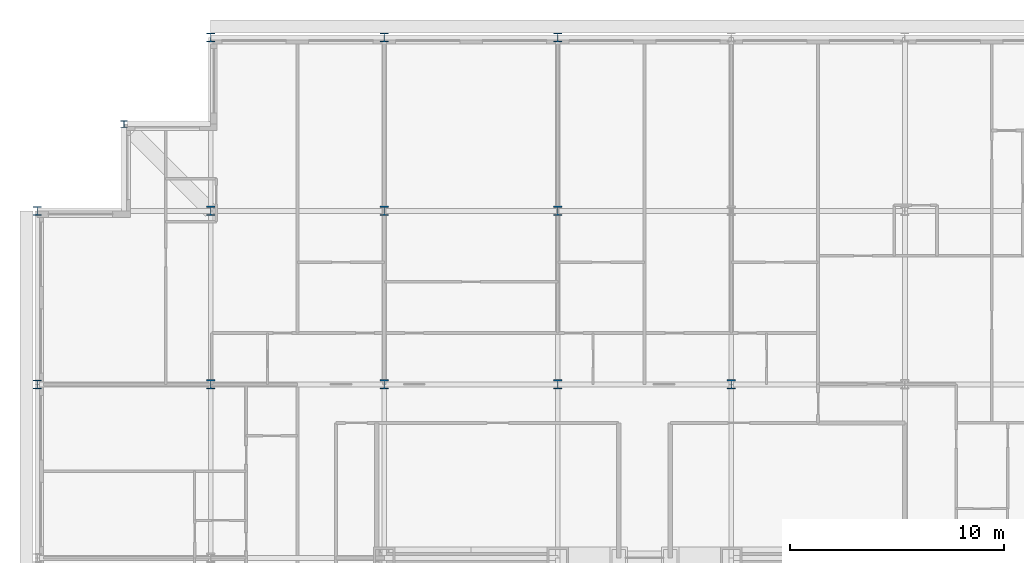
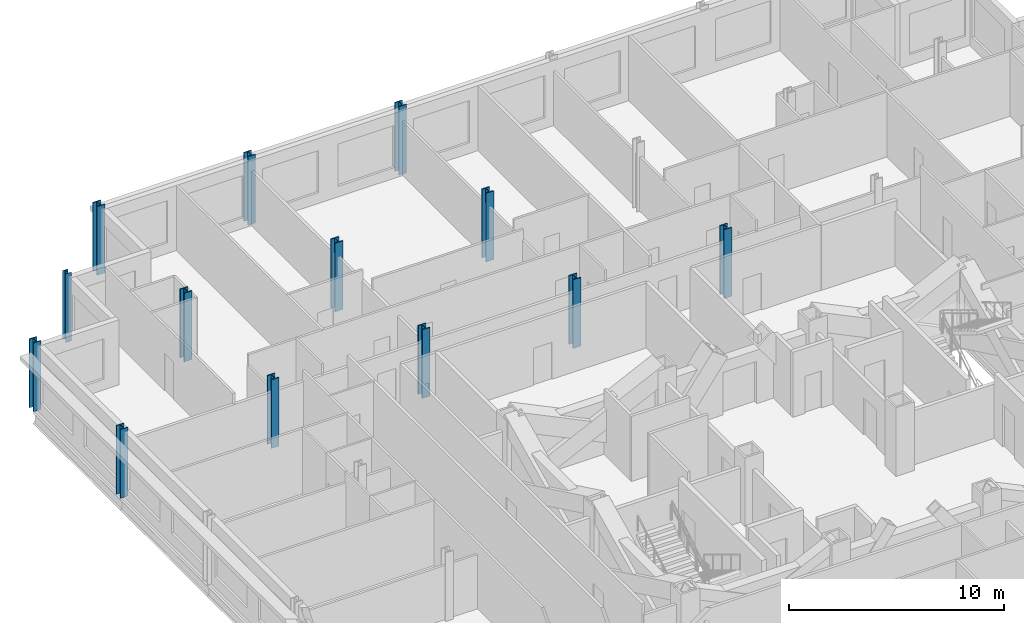
# One storey, part 3 of 15: 13 columns.
"""IFC4 building model written with IfcOpenShell, lengths in metres."""

import ifcopenshell
import ifcopenshell.guid

model = None  # the IFC model being written
_history = None  # IfcOwnerHistory: only IFC2X3 demands one
_inside = {}  # id of a spatial element -> (the spatial element, [elements in it])
_under = {}  # id of a project, library or spatial element -> (it, [spatial elements below it])
_declared = {}  # id of a project -> (the project, [libraries it declares])
_typed = {}  # id of a type object -> (the type object, [elements of that type])
_made_of = {}  # id of a material, layer set ... -> (it, [elements and type objects made of it])


def new_model(schema):
    """Start an empty IFC model of exactly this schema.

    Asked for "IFC4X3", IfcOpenShell would pick the latest addendum, in which some entities
    have other attributes; the version numbers below select the first issue.
    IFC2X3 requires an IfcOwnerHistory on every rooted entity: one is made here for all.
    """
    global model, _history
    if schema == "IFC4X3":
        model = ifcopenshell.file(schema_version=(4, 3, 0, 0))
    else:
        model = ifcopenshell.file(schema=schema)
    _inside.clear()
    _under.clear()
    _declared.clear()
    _typed.clear()
    _made_of.clear()
    _history = None
    if model.schema == "IFC2X3":
        org = make("IfcOrganization", Name="unknown")
        user = make(
            "IfcPersonAndOrganization",
            ThePerson=make("IfcPerson", FamilyName="unknown"),
            TheOrganization=org,
        )
        app = make(
            "IfcApplication",
            ApplicationDeveloper=org,
            Version="unknown",
            ApplicationFullName="unknown",
            ApplicationIdentifier="unknown",
        )
        _history = make(
            "IfcOwnerHistory",
            OwningUser=user,
            OwningApplication=app,
            ChangeAction="ADDED",
            CreationDate=0,
        )
    return model


def make(cls, **values):
    """One entity of the class cls with the attributes given. An attribute that is None is left unset."""
    return model.create_entity(
        cls, **{name: value for name, value in values.items() if value is not None}
    )


def rooted(cls, **values):
    """An entity with a GlobalId (a new one), such as an element, a storey or a relation."""
    return make(cls, GlobalId=ifcopenshell.guid.new(), OwnerHistory=_history, **values)


def si_unit(unit_type, name, prefix=None):
    """IfcSIUnit, for example si_unit("LENGTHUNIT", "METRE", prefix="MILLI")."""
    return make("IfcSIUnit", UnitType=unit_type, Prefix=prefix, Name=name)


def assignment(units):
    """IfcUnitAssignment: the units of a project."""
    return None if units is None else make("IfcUnitAssignment", Units=units)


def point(xyz):
    """IfcCartesianPoint."""
    return None if xyz is None else make("IfcCartesianPoint", Coordinates=xyz)


def direction(xyz):
    """IfcDirection."""
    return None if xyz is None else make("IfcDirection", DirectionRatios=xyz)


def frame(location, z_axis=None, x_axis=None):
    """IfcAxis2Placement3D, a coordinate frame: its origin and axes. An axis left out is left unset."""
    return make(
        "IfcAxis2Placement3D",
        Location=point(location),
        Axis=direction(z_axis),
        RefDirection=direction(x_axis),
    )


def frame_2d(location, x_axis=None):
    """IfcAxis2Placement2D, a coordinate frame in the plane: its origin and x axis."""
    return make(
        "IfcAxis2Placement2D", Location=point(location), RefDirection=direction(x_axis)
    )


def origin():
    """The frame at (0, 0, 0) with its axes left unset."""
    return frame((0.0, 0.0, 0.0))


def origin_2d():
    """The frame at (0, 0) in the plane with its x axis left unset."""
    return frame_2d((0.0, 0.0))


def place(relative_to, where):
    """IfcLocalPlacement: puts the frame where relative to a parent placement (None: the world)."""
    return make(
        "IfcLocalPlacement", PlacementRelTo=relative_to, RelativePlacement=where
    )


def context(
    kind, dimensions, precision=None, world=None, true_north=None, identifier=None
):
    """IfcGeometricRepresentationContext, for example the 3D "Model" context."""
    return make(
        "IfcGeometricRepresentationContext",
        ContextIdentifier=identifier,
        ContextType=kind,
        CoordinateSpaceDimension=dimensions,
        Precision=precision,
        WorldCoordinateSystem=world,
        TrueNorth=true_north,
    )


def subcontext(parent, identifier, kind, view, scale=None):
    """IfcGeometricRepresentationSubContext, for example "Body" below "Model"."""
    return make(
        "IfcGeometricRepresentationSubContext",
        ContextIdentifier=identifier,
        ContextType=kind,
        ParentContext=parent,
        TargetScale=scale,
        TargetView=view,
    )


def project(units=None, contexts=None):
    """IfcProject with its units and contexts."""
    return rooted(
        "IfcProject",
        Name="project",
        RepresentationContexts=contexts,
        UnitsInContext=assignment(units),
    )


def spatial(cls, under=None, at=None, **own):
    """A site, building, storey or space (cls), placed at a placement, below another one or the project."""
    s = rooted(cls, ObjectPlacement=at, **own)
    if under is not None:
        _under.setdefault(under.id(), (under, []))[1].append(s)
    return s


def profile(cls, at=None, kind="AREA", **sizes):
    """A parametric profile (cls). Its sizes go by their IFC names, for example OverallWidth=200.0."""
    return make(cls, ProfileType=kind, Position=at, **sizes)


def i_section(**sizes):
    """IfcIShapeProfileDef."""
    return profile("IfcIShapeProfileDef", **sizes)


def extrude(swept, where, along, depth):
    """IfcExtrudedAreaSolid: the profile swept, set in the frame where, extruded along a direction by depth."""
    return make(
        "IfcExtrudedAreaSolid",
        SweptArea=swept,
        Position=where,
        ExtrudedDirection=direction(along),
        Depth=depth,
    )


def shape(context_of_items, identifier, shape_type, items):
    """IfcShapeRepresentation: the items that make up one representation, for example the "Body"."""
    return make(
        "IfcShapeRepresentation",
        ContextOfItems=context_of_items,
        RepresentationIdentifier=identifier,
        RepresentationType=shape_type,
        Items=items,
    )


def material(Name=None, Category=None):
    """IfcMaterial."""
    return make("IfcMaterial", Name=Name, Category=Category)


def material_profile(
    of_material, cross_section, Name=None, Category=None, Priority=None
):
    """IfcMaterialProfile: a cross section and its material."""
    return make(
        "IfcMaterialProfile",
        Name=Name,
        Material=of_material,
        Profile=cross_section,
        Priority=Priority,
        Category=Category,
    )


def profile_set(profiles, Name=None, composite=None):
    """IfcMaterialProfileSet."""
    return make(
        "IfcMaterialProfileSet",
        Name=Name,
        MaterialProfiles=profiles,
        CompositeProfile=composite,
    )


def made_of(thing, what):
    """Note that an element or type object is made of a material, layer set ...; save() writes the relation."""
    if what is not None:
        _made_of.setdefault(what.id(), (what, []))[1].append(thing)
    return thing


def type_object(cls, material=None, **own):
    """A type object (cls), such as IfcWallType, which elements share."""
    return made_of(rooted(cls, **own), material)


def element(
    cls,
    number,
    at=None,
    inside=None,
    cuts=None,
    type_object=None,
    material=None,
    context=None,
    identifier="Body",
    shape_type=None,
    held_by="IfcProductDefinitionShape",
    body=None,
    shapes=None,
    **own,
):
    """One element of the class cls, such as IfcWall. Its Tag is "e" and its number.

    at: its placement. inside: the storey or other place that contains it. cuts: it is an
    opening in that element (IfcRelVoidsElement). A single representation is given by context,
    identifier, shape_type and body (its items); several are given by shapes. held_by: the class
    of the entity that holds the representations. save() writes the other relations.
    """
    e = rooted(cls, Tag="e%d" % number, ObjectPlacement=at, **own)
    if body is not None:
        shapes = [shape(context, identifier, shape_type, body)]
    if shapes is not None:
        e.Representation = make(held_by, Representations=shapes)
    if inside is not None:
        _inside.setdefault(inside.id(), (inside, []))[1].append(e)
    if cuts is not None:
        rooted(
            "IfcRelVoidsElement", RelatingBuildingElement=cuts, RelatedOpeningElement=e
        )
    if type_object is not None:
        _typed.setdefault(type_object.id(), (type_object, []))[1].append(e)
    return made_of(e, material)


def aggregate(whole, parts):
    """IfcRelAggregates: a whole, such as a stair, and the parts it consists of."""
    return rooted("IfcRelAggregates", RelatingObject=whole, RelatedObjects=parts)


def save(model, path):
    """Write the relations noted so far, then the file.

    IfcRelAggregates (storeys below a building ...), IfcRelContainedInSpatialStructure (elements
    in a storey), IfcRelDefinesByType, IfcRelAssociatesMaterial and IfcRelDeclares: one each for
    every whole, place, type object, material and project.
    """
    for whole, parts in _under.values():
        aggregate(whole, parts)
    for where, things in _inside.values():
        rooted(
            "IfcRelContainedInSpatialStructure",
            RelatedElements=things,
            RelatingStructure=where,
        )
    for kind, things in _typed.values():
        rooted("IfcRelDefinesByType", RelatedObjects=things, RelatingType=kind)
    for what, things in _made_of.values():
        rooted("IfcRelAssociatesMaterial", RelatedObjects=things, RelatingMaterial=what)
    for by, libraries in _declared.values():
        rooted("IfcRelDeclares", RelatingContext=by, RelatedDefinitions=libraries)
    model.write(path)


model = new_model("IFC4")

# Units and contexts
model_context = context("Model", 3, precision=1e-05, world=origin(), true_north=direction((0.0, 1.0)))
body_context = subcontext(model_context, "Body", "Model", "MODEL_VIEW")
ifc_project = project(units=[si_unit("LENGTHUNIT", "METRE"), si_unit("AREAUNIT", "SQUARE_METRE"), si_unit("VOLUMEUNIT", "CUBIC_METRE"), si_unit("PLANEANGLEUNIT", "RADIAN"), si_unit("MASSUNIT", "GRAM", prefix="KILO")], contexts=[model_context])

# Site, building, storey
site_placement = place(None, origin())
site = spatial("IfcSite", under=ifc_project, at=site_placement, CompositionType="ELEMENT")
building_placement = place(site_placement, origin())
building = spatial("IfcBuilding", under=site, at=building_placement, Name="Kopane Lantern Tower", CompositionType="ELEMENT")
storey_placement = place(building_placement, frame((0.0, 0.0, 285.300048828125)))
storey = spatial("IfcBuildingStorey", under=building, at=storey_placement, Name="L73", CompositionType="ELEMENT", Elevation=285.300048828125)

# Columns
ifc_material_1 = material(Name="Steel S355JR", Category="steel")
ifc_material_profile_1 = material_profile(ifc_material_1, i_section(OverallWidth=0.307373046875, OverallDepth=0.314453125, WebThickness=0.011962890625, FlangeThickness=0.018798828125, FilletRadius=0.01513671875, at=origin_2d()), Name="UC 305x305x118")
ifc_profile_set_1 = profile_set([ifc_material_profile_1], Name="Steel S355JR")
column_type_1 = type_object("IfcColumnType", Name="COLUMN UC 305x305x118", PredefinedType="COLUMN", material=ifc_profile_set_1)
column_placement = place(storey_placement, frame((4.050048828125, 60.75, 0.0), z_axis=(0.0, 0.0, 1.0), x_axis=(1.0, 0.0, 0.0)))
element("IfcColumn", 1, at=column_placement, inside=storey, type_object=column_type_1, Name="Column 4.05/60.75 L73", PredefinedType="COLUMN", context=body_context, shape_type="SweptSolid", body=[
    extrude(i_section(OverallWidth=0.307373046875, OverallDepth=0.314453125, WebThickness=0.011962890625, FlangeThickness=0.018798828125, FilletRadius=0.01513671875, at=origin_2d()), origin(), (0.0, 0.0, 1.0), 3.89990234375),
])
ifc_material_2 = material(Name="Steel S355JR", Category="steel")
ifc_material_profile_2 = material_profile(ifc_material_2, i_section(OverallWidth=0.406982421875, OverallDepth=0.4189453125, WebThickness=0.030517578125, FlangeThickness=0.04931640625, FilletRadius=0.01513671875, at=origin_2d()), Name="UC 356x406x393")
ifc_profile_set_2 = profile_set([ifc_material_profile_2], Name="Steel S355JR")
column_type_2 = type_object("IfcColumnType", Name="COLUMN UC 356x406x393", PredefinedType="COLUMN", material=ifc_profile_set_2)
for number, where, z_axis, x_axis, name in (
    (2, (0.0, 48.60009765625, 0.0), (0.0, 0.0, 1.0), (1.0, 0.0, 0.0), "Column 2/H L73"),
    (3, (0.0, 56.699951171875, 0.0), (0.0, 0.0, 1.0), (1.0, 0.0, 0.0), "Column 2/J L73"),
    (4, (8.10009765625, 64.800048828125, 0.0), (0.0, 0.0, 1.0), (1.0, 0.0, 0.0), "Column 3/K L73"),
    (5, (16.199951171875, 64.800048828125, 0.0), (0.0, 0.0, 1.0), (1.0, 0.0, 0.0), "Column 4/K L73"),
    (6, (24.300048828125, 64.800048828125, 0.0), (0.0, 0.0, 1.0), (1.0, 0.0, 0.0), "Column 5/K L73"),
):
    element("IfcColumn", number, at=place(storey_placement, frame(where, z_axis=z_axis, x_axis=x_axis)), inside=storey, type_object=column_type_2, Name=name, PredefinedType="COLUMN", context=body_context, shape_type="SweptSolid", body=[
        extrude(i_section(OverallWidth=0.406982421875, OverallDepth=0.4189453125, WebThickness=0.030517578125, FlangeThickness=0.04931640625, FilletRadius=0.01513671875, at=origin_2d()), origin(), (0.0, 0.0, 1.0), 3.89990234375),
    ])
ifc_material_3 = material(Name="Steel S355JR", Category="steel")
ifc_material_profile_3 = material_profile(ifc_material_3, i_section(OverallWidth=0.412109375, OverallDepth=0.4365234375, WebThickness=0.035888671875, FlangeThickness=0.05810546875, FilletRadius=0.01513671875, at=origin_2d()), Name="UC 356x406x467")
ifc_profile_set_3 = profile_set([ifc_material_profile_3], Name="Steel S355JR")
column_type_3 = type_object("IfcColumnType", Name="COLUMN UC 356x406x467", PredefinedType="COLUMN", material=ifc_profile_set_3)
for number, where, z_axis, x_axis, name in (
    (7, (8.10009765625, 48.60009765625, 0.0), (0.0, 0.0, 1.0), (1.0, 0.0, 0.0), "Column 3/H L73"),
    (8, (8.10009765625, 56.699951171875, 0.0), (0.0, 0.0, 1.0), (1.0, 0.0, 0.0), "Column 3/J L73"),
    (9, (16.199951171875, 48.60009765625, 0.0), (0.0, 0.0, 1.0), (1.0, 0.0, 0.0), "Column 4/H L73"),
    (10, (16.199951171875, 56.699951171875, 0.0), (0.0, 0.0, 1.0), (1.0, 0.0, 0.0), "Column 4/J L73"),
    (11, (24.300048828125, 48.60009765625, 0.0), (0.0, 0.0, 1.0), (1.0, 0.0, 0.0), "Column 5/H L73"),
    (12, (24.300048828125, 56.699951171875, 0.0), (0.0, 0.0, 1.0), (1.0, 0.0, 0.0), "Column 5/J L73"),
    (13, (32.39990234375, 48.60009765625, 0.0), (0.0, 0.0, 1.0), (1.0, 0.0, 0.0), "Column 6/H L73"),
):
    element("IfcColumn", number, at=place(storey_placement, frame(where, z_axis=z_axis, x_axis=x_axis)), inside=storey, type_object=column_type_3, Name=name, PredefinedType="COLUMN", context=body_context, shape_type="SweptSolid", body=[
        extrude(i_section(OverallWidth=0.412109375, OverallDepth=0.4365234375, WebThickness=0.035888671875, FlangeThickness=0.05810546875, FilletRadius=0.01513671875, at=origin_2d()), origin(), (0.0, 0.0, 1.0), 3.89990234375),
    ])

save(model, "model.ifc")
